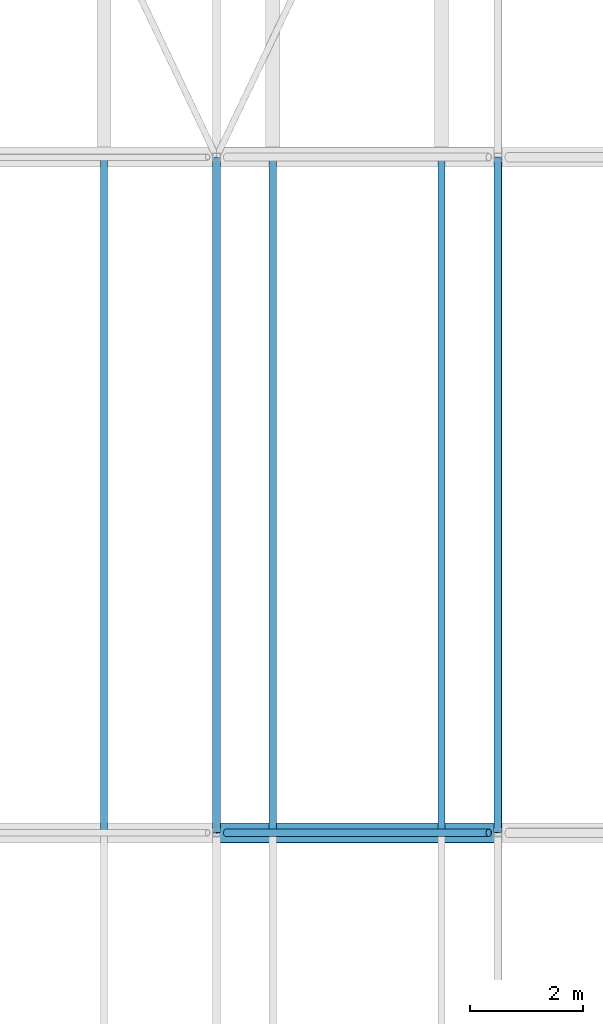
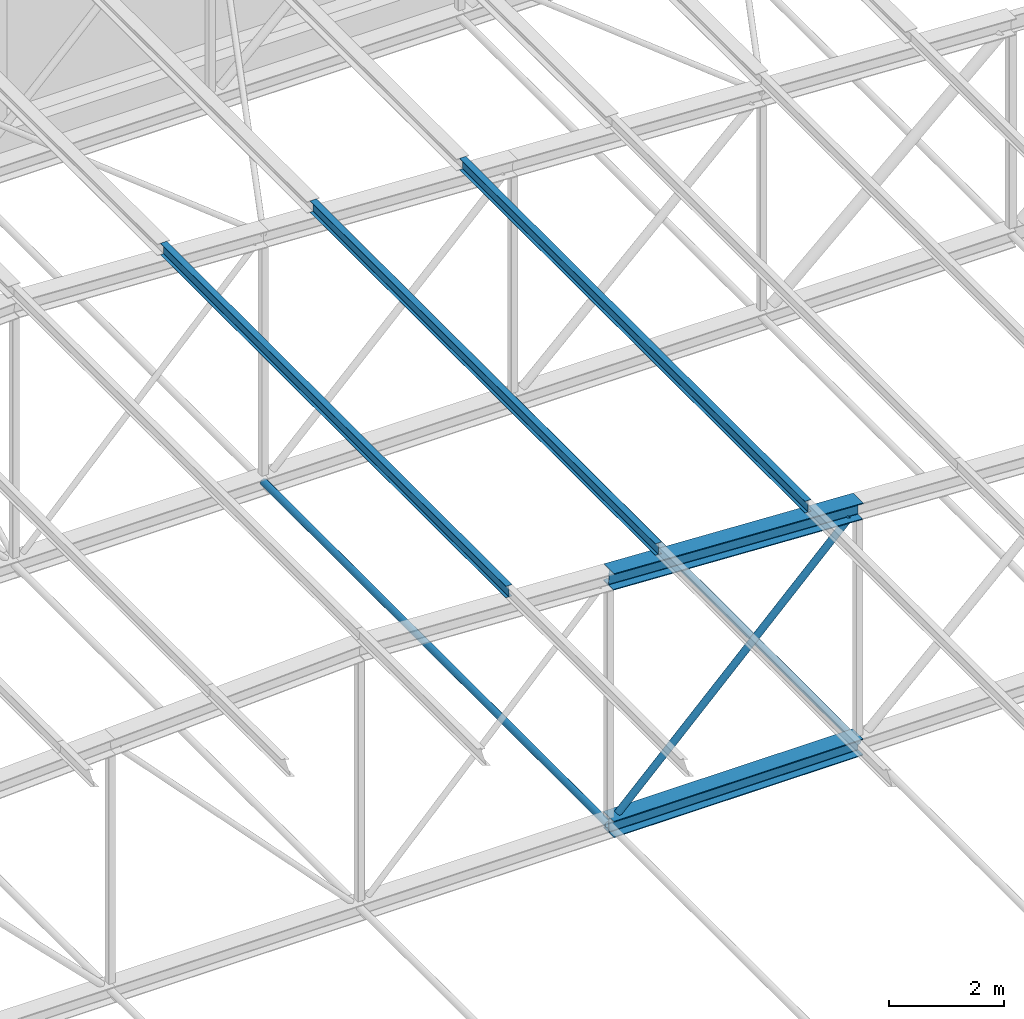
# One storey, part 110 of 156: 8 members.
"""IFC4 building model written with IfcOpenShell, lengths in metres."""

from ifc_helpers import new_model, si_unit, direction, frame, origin, origin_2d, place, context, subcontext, project, spatial, hollow_circle, i_section, extrude, material, material_profile, profile_set, type_object, element, save


model = new_model("IFC4")

# Units and contexts
model_context = context("Model", 3, precision=1e-05, world=origin(), true_north=direction((0.0, 1.0)))
body_context = subcontext(model_context, "Body", "Model", "MODEL_VIEW")
ifc_project = project(units=[si_unit("LENGTHUNIT", "METRE"), si_unit("AREAUNIT", "SQUARE_METRE"), si_unit("VOLUMEUNIT", "CUBIC_METRE"), si_unit("PLANEANGLEUNIT", "RADIAN"), si_unit("MASSUNIT", "GRAM", prefix="KILO")], contexts=[model_context])

# Site, building, storey
site_placement = place(None, origin())
site = spatial("IfcSite", under=ifc_project, at=site_placement, CompositionType="ELEMENT")
building_placement = place(site_placement, origin())
building = spatial("IfcBuilding", under=site, at=building_placement, Name="Lilac Gate Convention Centre", CompositionType="ELEMENT")
storey_placement = place(building_placement, frame((0.0, 0.0, 17.0)))
storey = spatial("IfcBuildingStorey", under=building, at=storey_placement, Name="L03", CompositionType="ELEMENT", Elevation=17.0)

# Members
ifc_material = material(Name="Steel Q355B", Category="steel")
ifc_material_profile_1 = material_profile(ifc_material, hollow_circle(Radius=0.06982421875, WallThickness=0.0048828125, at=origin_2d()), Name="CHS139.7x5")
ifc_profile_set_1 = profile_set([ifc_material_profile_1], Name="Steel Q355B")
member_type_1 = type_object("IfcMemberType", Name="Bottom chord tie CHS139.7x5", PredefinedType="STRUT", material=ifc_profile_set_1)
member_1_placement = place(storey_placement, frame((65.0, 198.009521484375, 0.0), z_axis=(0.0, 1.0, 0.0), x_axis=(-1.0, 0.0, 0.0)))
element("IfcMember", 1, at=member_1_placement, inside=storey, type_object=member_type_1, Name="ST1 tie bay 15 node 8", PredefinedType="STRUT", context=body_context, shape_type="SweptSolid", body=[
    extrude(hollow_circle(Radius=0.06982421875, WallThickness=0.0048828125, at=origin_2d()), origin(), (0.0, 0.0, 1.0), 11.98095703125),
])
member_2_placement = place(storey_placement, frame((70.0, 198.006103515625, 0.0), z_axis=(0.0, 1.0, 0.0), x_axis=(-1.0, 0.0, 0.0)))
element("IfcMember", 2, at=member_2_placement, inside=storey, type_object=member_type_1, Name="ST1 tie bay 15 node 9", PredefinedType="STRUT", context=body_context, shape_type="SweptSolid", body=[
    extrude(hollow_circle(Radius=0.06982421875, WallThickness=0.0048828125, at=origin_2d()), origin(), (0.0, 0.0, 1.0), 11.98779296875),
])
ifc_material_profile_2 = material_profile(ifc_material, i_section(OverallWidth=0.125, OverallDepth=0.25, WebThickness=0.006103515625, FlangeThickness=0.009033203125, FilletRadius=0.008056640625, at=origin_2d()), Name="HN250x125x6x9")
ifc_profile_set_2 = profile_set([ifc_material_profile_2], Name="Steel Q355B")
member_type_2 = type_object("IfcMemberType", Name="Roof purlin HN250x125x6x9", PredefinedType="PURLIN", material=ifc_profile_set_2)
for number, where, z_axis, x_axis, name in (
    (3, (63.0, 198.0, 5.650146484375), (0.0, 1.0, 0.0), (-1.0, 0.0, 0.0), "PU2 purlin bay 15 line 12"),
    (4, (66.0, 198.0, 5.500244140625), (0.0, 1.0, 0.0), (-1.0, 0.0, 0.0), "PU2 purlin bay 15 line 13"),
    (5, (69.0, 198.0, 5.35009765625), (0.0, 1.0, 0.0), (-1.0, 0.0, 0.0), "PU2 purlin bay 15 line 14"),
):
    element("IfcMember", number, at=place(storey_placement, frame(where, z_axis=z_axis, x_axis=x_axis)), inside=storey, type_object=member_type_2, Name=name, PredefinedType="PURLIN", context=body_context, shape_type="SweptSolid", body=[
        extrude(i_section(OverallWidth=0.125, OverallDepth=0.25, WebThickness=0.006103515625, FlangeThickness=0.009033203125, FilletRadius=0.008056640625, at=origin_2d()), origin(), (0.0, 0.0, 1.0), 12.0),
    ])
ifc_material_profile_3 = material_profile(ifc_material, i_section(OverallWidth=0.35693359375, OverallDepth=0.35009765625, WebThickness=0.01904296875, FlangeThickness=0.01904296875, FilletRadius=0.012939453125, at=origin_2d()), Name="HW350x357x19x19")
ifc_profile_set_3 = profile_set([ifc_material_profile_3], Name="Steel Q355B")
member_type_3 = type_object("IfcMemberType", Name="Truss bottom chord HW350x357x19x19", PredefinedType="CHORD", material=ifc_profile_set_3)
member_3_placement = place(storey_placement, frame((65.0, 198.0, 0.0), z_axis=(1.0, 0.0, 0.0), x_axis=(0.0, 1.0, 0.0)))
element("IfcMember", 6, at=member_3_placement, inside=storey, type_object=member_type_3, Name="TB3 truss 15 bottom chord 8", PredefinedType="CHORD", context=body_context, shape_type="SweptSolid", body=[
    extrude(i_section(OverallWidth=0.35693359375, OverallDepth=0.35009765625, WebThickness=0.01904296875, FlangeThickness=0.01904296875, FilletRadius=0.012939453125, at=origin_2d()), origin(), (0.0, 0.0, 1.0), 5.0),
])
ifc_material_profile_4 = material_profile(ifc_material, hollow_circle(Radius=0.06982421875, WallThickness=0.006103515625, at=origin_2d()), Name="CHS139.7x6")
ifc_profile_set_4 = profile_set([ifc_material_profile_4], Name="Steel Q355B")
member_type_4 = type_object("IfcMemberType", Name="Truss diagonal CHS139.7x6", PredefinedType="BRACE", material=ifc_profile_set_4)
member_4_placement = place(storey_placement, frame((69.835693359375, 198.0, 4.835693359375), z_axis=(-0.707106781187, 0.0, -0.707106781187), x_axis=(0.0, -1.0, 0.0)))
element("IfcMember", 7, at=member_4_placement, inside=storey, type_object=member_type_4, Name="TW5 truss 15 diagonal 8", PredefinedType="BRACE", context=body_context, shape_type="SweptSolid", body=[
    extrude(hollow_circle(Radius=0.06982421875, WallThickness=0.006103515625, at=origin_2d()), origin(), (0.0, 0.0, 1.0), 6.591064453125),
])
ifc_material_profile_5 = material_profile(ifc_material, i_section(OverallWidth=0.35009765625, OverallDepth=0.35009765625, WebThickness=0.011962890625, FlangeThickness=0.01904296875, FilletRadius=0.012939453125, at=origin_2d()), Name="HW350x350x12x19")
ifc_profile_set_5 = profile_set([ifc_material_profile_5], Name="Steel Q355B")
member_type_5 = type_object("IfcMemberType", Name="Truss top chord HW350x350x12x19", PredefinedType="CHORD", material=ifc_profile_set_5)
member_5_placement = place(storey_placement, frame((65.0, 198.0, 5.25), z_axis=(0.998752338878, 0.0, -0.049937616944), x_axis=(0.0, 1.0, 0.0)))
element("IfcMember", 8, at=member_5_placement, inside=storey, type_object=member_type_5, Name="TT2 truss 15 top chord 8", PredefinedType="CHORD", context=body_context, shape_type="SweptSolid", body=[
    extrude(i_section(OverallWidth=0.35009765625, OverallDepth=0.35009765625, WebThickness=0.011962890625, FlangeThickness=0.01904296875, FilletRadius=0.012939453125, at=origin_2d()), origin(), (0.0, 0.0, 1.0), 5.00634765625),
])

save(model, "model.ifc")
